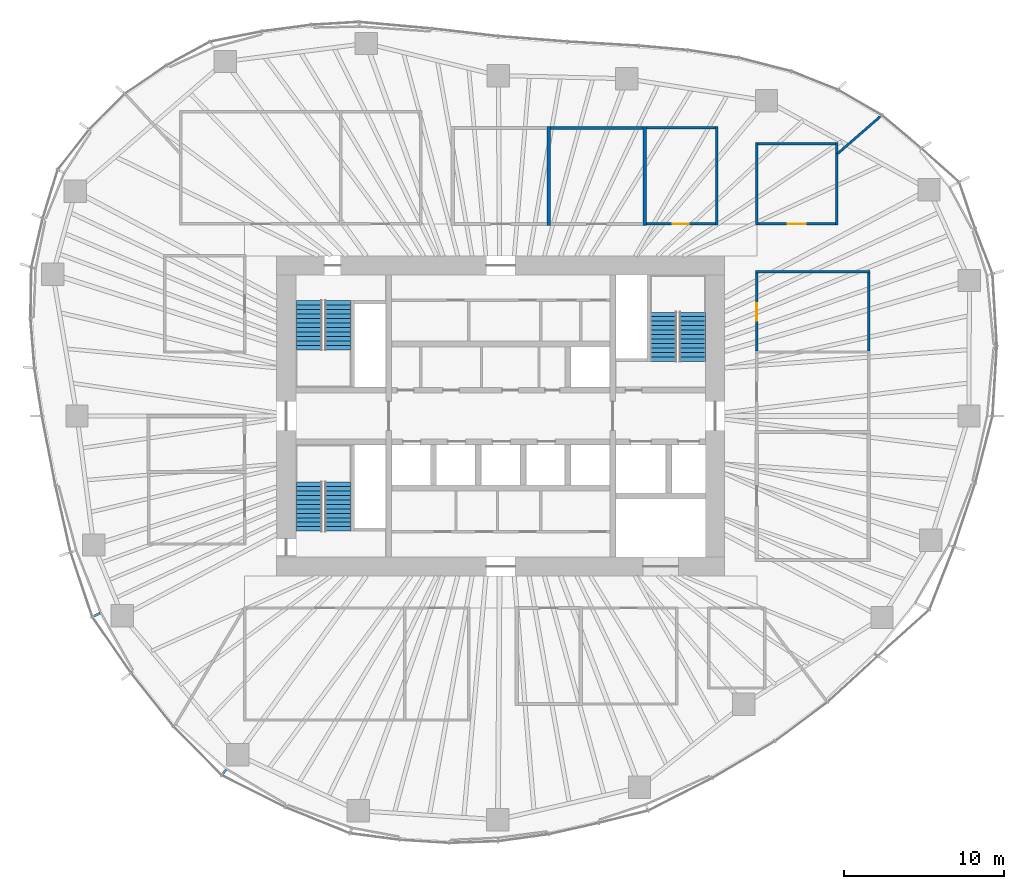
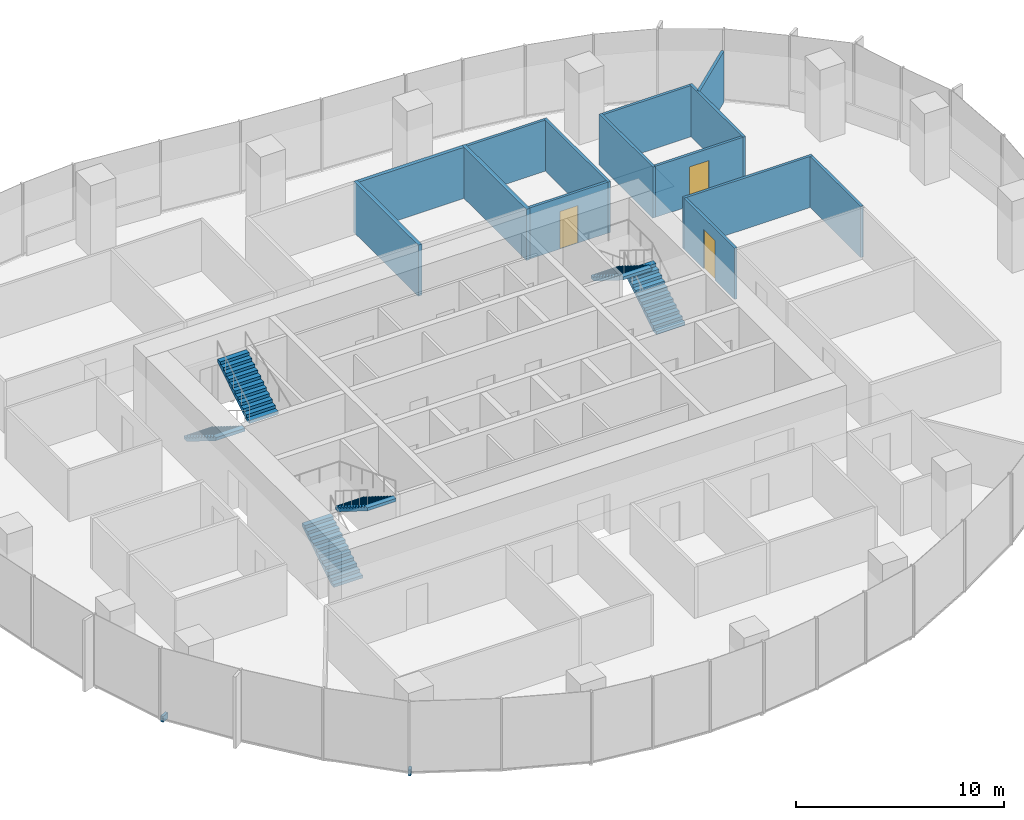
# One storey, part 11 of 18: 14 walls, 6 stair flights, 3 doors, 2 discrete accessories, 3 openings, 3 elements without a shape of their own.
"""IFC4 building model written with IfcOpenShell, lengths in metres."""

from ifc_helpers import new_model, si_unit, direction, frame, frame_2d, origin, origin_2d, place, context, subcontext, project, spatial, polyline, rectangle, outline, extrude, material, layer, layer_set, type_object, element, fill, aggregate, save


model = new_model("IFC4")

# Units and contexts
model_context = context("Model", 3, precision=1e-05, world=origin(), true_north=direction((0.0, 1.0)))
body_context = subcontext(model_context, "Body", "Model", "MODEL_VIEW")
ifc_project = project(units=[si_unit("LENGTHUNIT", "METRE"), si_unit("AREAUNIT", "SQUARE_METRE"), si_unit("VOLUMEUNIT", "CUBIC_METRE"), si_unit("PLANEANGLEUNIT", "RADIAN"), si_unit("MASSUNIT", "GRAM", prefix="KILO")], contexts=[model_context])

# Site, building, storey
site_placement = place(None, origin())
site = spatial("IfcSite", under=ifc_project, at=site_placement, CompositionType="ELEMENT")
building_placement = place(site_placement, origin())
building = spatial("IfcBuilding", under=site, at=building_placement, Name="Ghaith Harvest Tower", CompositionType="ELEMENT")
storey_placement = place(building_placement, frame((0.0, 0.0, 159.60009765625)))
storey = spatial("IfcBuildingStorey", under=building, at=storey_placement, Name="L34", CompositionType="ELEMENT", Elevation=159.60009765625)

# Walls
ifc_material_1 = material(Name="Twin-stud gypsum board, acoustic", Category="gypsum")
ifc_layer_1 = layer(ifc_material_1, 0.199951171875)
ifc_layer_set_1 = layer_set([ifc_layer_1], Name="ACOUSTIC PARTITION 200")
wall_type_1 = type_object("IfcWallType", Name="ACOUSTIC PARTITION 200", PredefinedType="PARTITIONING", material=ifc_layer_set_1)
for number, where, z_axis, x_axis, name in (
    (1, (3.0, 11.89990234375, 0.0), (0.0, 0.0, 1.0), (0.0, 1.0, 0.0), "Partition L34 row N4 cross wall 2"),
    (2, (9.0, 11.89990234375, 0.0), (0.0, 0.0, 1.0), (0.0, 1.0, 0.0), "Partition L34 row N4 cross wall 3"),
):
    element("IfcWall", number, at=place(storey_placement, frame(where, z_axis=z_axis, x_axis=x_axis)), inside=storey, type_object=wall_type_1, Name=name, PredefinedType="PARTITIONING", context=body_context, shape_type="SweptSolid", body=[
        extrude(rectangle(XDim=6.2001953125, YDim=0.199951171875, at=frame_2d((3.10009765625, 0.0))), origin(), (0.0, 0.0, 1.0), 3.0),
    ])
wall_1_placement = place(storey_placement, frame((3.10009765625, 18.0, 0.0), z_axis=(0.0, 0.0, 1.0), x_axis=(1.0, 0.0, 0.0)))
element("IfcWall", 3, at=wall_1_placement, inside=storey, type_object=wall_type_1, Name="Partition L34-08", PredefinedType="PARTITIONING", context=body_context, shape_type="SweptSolid", body=[
    extrude(rectangle(XDim=5.7998046875, YDim=0.199951171875, at=frame_2d((2.89990234375, 0.0))), origin(), (0.0, 0.0, 1.0), 3.0),
])
ifc_material_2 = material(Name="Gypsum board on steel studs", Category="steel")
ifc_layer_2 = layer(ifc_material_2, 0.14990234375)
ifc_layer_set_2 = layer_set([ifc_layer_2], Name="PARTITION 150")
wall_type_2 = type_object("IfcWallType", Name="PARTITION 150", PredefinedType="PARTITIONING", material=ifc_layer_set_2)
wall_2_placement = place(storey_placement, frame((13.5, 11.925048828125, 0.0), z_axis=(0.0, 0.0, 1.0), x_axis=(0.0, 1.0, 0.0)))
element("IfcWall", 4, at=wall_2_placement, inside=storey, type_object=wall_type_2, Name="Partition L34 row N4 cross wall 4", PredefinedType="PARTITIONING", context=body_context, shape_type="SweptSolid", body=[
    extrude(rectangle(XDim=6.14990234375, YDim=0.14990234375, at=frame_2d((3.074951171875, 0.0))), origin(), (0.0, 0.0, 1.0), 3.0),
])

# Wall, opening, door
wall_3_placement = place(storey_placement, frame((9.10009765625, 12.0, 0.0), z_axis=(0.0, 0.0, 1.0), x_axis=(1.0, 0.0, 0.0)))
wall_3 = element("IfcWall", 5, at=wall_3_placement, inside=storey, type_object=wall_type_2, Name="Partition L34-09", PredefinedType="PARTITIONING", context=body_context, shape_type="SweptSolid", body=[
    extrude(rectangle(XDim=4.324951171875, YDim=0.14990234375, at=frame_2d((2.16259765625, 0.0))), origin(), (0.0, 0.0, 1.0), 3.0),
])
opening_1_placement = place(wall_3_placement, frame((1.66259765625, 0.0, 0.0)))
opening_1 = element("IfcOpeningElement", 6, at=opening_1_placement, cuts=wall_3, Name="Opening 34-037", PredefinedType="OPENING", context=body_context, shape_type="SweptSolid", body=[
    extrude(rectangle(XDim=1.0, YDim=2.199951171875, at=frame_2d((0.5, 1.10009765625))), frame((0.0, 0.0849609375, 0.0), z_axis=(0.0, -1.0, 0.0), x_axis=(1.0, 0.0, 0.0)), (0.0, 0.0, 1.0), 0.169921875),
])
ifc_material_3 = material(Name="Timber door", Category="wood")
door_type_1 = type_object("IfcDoorType", Name="D1 SINGLE 1000x2200", OperationType="SINGLE_SWING_LEFT", PredefinedType="DOOR", material=ifc_material_3)
door_1_placement = place(opening_1_placement, origin())
door_1 = element("IfcDoor", 7, at=door_1_placement, inside=storey, type_object=door_type_1, Name="Pantry door", OperationType="SINGLE_SWING_LEFT", OverallHeight=2.199951171875, OverallWidth=1.0, PredefinedType="DOOR", context=body_context, shape_type="SweptSolid", body=[
    extrude(rectangle(XDim=1.0, YDim=2.199951171875, at=frame_2d((0.5, 1.10009765625))), frame((0.0, 0.02490234375, 0.0), z_axis=(0.0, -1.0, 0.0), x_axis=(1.0, 0.0, 0.0)), (0.0, 0.0, 1.0), 0.050048828125),
])
fill(opening_1, door_1)

# Walls
wall_4_placement = place(storey_placement, frame((9.10009765625, 18.0, 0.0), z_axis=(0.0, 0.0, 1.0), x_axis=(1.0, 0.0, 0.0)))
element("IfcWall", 8, at=wall_4_placement, inside=storey, type_object=wall_type_2, Name="Partition L34-09", PredefinedType="PARTITIONING", context=body_context, shape_type="SweptSolid", body=[
    extrude(rectangle(XDim=4.324951171875, YDim=0.14990234375, at=frame_2d((2.16259765625, 0.0))), origin(), (0.0, 0.0, 1.0), 3.0),
])
wall_5_placement = place(storey_placement, frame((15.925048828125, 9.0, 0.0), z_axis=(0.0, 0.0, 1.0), x_axis=(1.0, 0.0, 0.0)))
element("IfcWall", 9, at=wall_5_placement, inside=storey, type_object=wall_type_2, Name="Partition L34 row E5 cross wall 4", PredefinedType="PARTITIONING", context=body_context, shape_type="SweptSolid", body=[
    extrude(rectangle(XDim=7.14990234375, YDim=0.14990234375, at=frame_2d((3.574951171875, 0.0))), origin(), (0.0, 0.0, 1.0), 3.0),
])

# Wall, opening, door
wall_6_placement = place(storey_placement, frame((16.0, 4.074951171875, 0.0), z_axis=(0.0, 0.0, 1.0), x_axis=(0.0, 1.0, 0.0)))
wall_6 = element("IfcWall", 10, at=wall_6_placement, inside=storey, type_object=wall_type_2, Name="Partition L34-12", PredefinedType="PARTITIONING", context=body_context, shape_type="SweptSolid", body=[
    extrude(rectangle(XDim=4.85009765625, YDim=0.14990234375, at=frame_2d((2.425048828125, 0.0))), origin(), (0.0, 0.0, 1.0), 3.0),
])
opening_2_placement = place(wall_6_placement, frame((1.875, 0.0, 0.0)))
opening_2 = element("IfcOpeningElement", 11, at=opening_2_placement, cuts=wall_6, Name="Opening 34-040", PredefinedType="OPENING", context=body_context, shape_type="SweptSolid", body=[
    extrude(rectangle(XDim=1.10009765625, YDim=2.300048828125, at=frame_2d((0.550048828125, 1.14990234375))), frame((0.0, 0.0849609375, 0.0), z_axis=(0.0, -1.0, 0.0), x_axis=(1.0, 0.0, 0.0)), (0.0, 0.0, 1.0), 0.169921875),
])
ifc_material_4 = material(Name="Timber-framed glazed door", Category="wood")
door_type_2 = type_object("IfcDoorType", Name="D12 GLAZED OFFICE 1100x2300", OperationType="SINGLE_SWING_LEFT", PredefinedType="DOOR", material=ifc_material_4)
door_2_placement = place(opening_2_placement, origin())
door_2 = element("IfcDoor", 12, at=door_2_placement, inside=storey, type_object=door_type_2, Name="Office door", OperationType="SINGLE_SWING_LEFT", OverallHeight=2.300048828125, OverallWidth=1.10009765625, PredefinedType="DOOR", context=body_context, shape_type="SweptSolid", body=[
    extrude(rectangle(XDim=1.10009765625, YDim=2.300048828125, at=frame_2d((0.550048828125, 1.14990234375))), frame((0.0, 0.02490234375, 0.0), z_axis=(0.0, -1.0, 0.0), x_axis=(1.0, 0.0, 0.0)), (0.0, 0.0, 1.0), 0.050048828125),
])
fill(opening_2, door_2)

# Walls
wall_7_placement = place(storey_placement, frame((23.0, 4.074951171875, 0.0), z_axis=(0.0, 0.0, 1.0), x_axis=(0.0, 1.0, 0.0)))
element("IfcWall", 13, at=wall_7_placement, inside=storey, type_object=wall_type_2, Name="Partition L34-12", PredefinedType="PARTITIONING", context=body_context, shape_type="SweptSolid", body=[
    extrude(rectangle(XDim=4.85009765625, YDim=0.14990234375, at=frame_2d((2.425048828125, 0.0))), origin(), (0.0, 0.0, 1.0), 3.0),
])
for number, where, z_axis, x_axis, name in (
    (14, (16.0, 11.925048828125, 0.0), (0.0, 0.0, 1.0), (0.0, 1.0, 0.0), "Partition L34 row N7 cross wall 1"),
    (15, (21.0, 11.925048828125, 0.0), (0.0, 0.0, 1.0), (0.0, 1.0, 0.0), "Partition L34 row N7 cross wall 2"),
):
    element("IfcWall", number, at=place(storey_placement, frame(where, z_axis=z_axis, x_axis=x_axis)), inside=storey, type_object=wall_type_2, Name=name, PredefinedType="PARTITIONING", context=body_context, shape_type="SweptSolid", body=[
        extrude(rectangle(XDim=5.14990234375, YDim=0.14990234375, at=frame_2d((2.574951171875, 0.0))), origin(), (0.0, 0.0, 1.0), 3.0),
    ])

# Wall, opening, door
wall_8_placement = place(storey_placement, frame((16.074951171875, 12.0, 0.0), z_axis=(0.0, 0.0, 1.0), x_axis=(1.0, 0.0, 0.0)))
wall_8 = element("IfcWall", 16, at=wall_8_placement, inside=storey, type_object=wall_type_2, Name="Partition L34-15", PredefinedType="PARTITIONING", context=body_context, shape_type="SweptSolid", body=[
    extrude(rectangle(XDim=4.85009765625, YDim=0.14990234375, at=frame_2d((2.425048828125, 0.0))), origin(), (0.0, 0.0, 1.0), 3.0),
])
opening_3_placement = place(wall_8_placement, frame((1.875, 0.0, 0.0)))
opening_3 = element("IfcOpeningElement", 17, at=opening_3_placement, cuts=wall_8, Name="Opening 34-043", PredefinedType="OPENING", context=body_context, shape_type="SweptSolid", body=[
    extrude(rectangle(XDim=1.10009765625, YDim=2.300048828125, at=frame_2d((0.550048828125, 1.14990234375))), frame((0.0, 0.0849609375, 0.0), z_axis=(0.0, -1.0, 0.0), x_axis=(1.0, 0.0, 0.0)), (0.0, 0.0, 1.0), 0.169921875),
])
door_3_placement = place(opening_3_placement, origin())
door_3 = element("IfcDoor", 18, at=door_3_placement, inside=storey, type_object=door_type_2, Name="Office door", OperationType="SINGLE_SWING_LEFT", OverallHeight=2.300048828125, OverallWidth=1.10009765625, PredefinedType="DOOR", context=body_context, shape_type="SweptSolid", body=[
    extrude(rectangle(XDim=1.10009765625, YDim=2.300048828125, at=frame_2d((0.550048828125, 1.14990234375))), frame((0.0, 0.02490234375, 0.0), z_axis=(0.0, -1.0, 0.0), x_axis=(1.0, 0.0, 0.0)), (0.0, 0.0, 1.0), 0.050048828125),
])
fill(opening_3, door_3)

# Walls
wall_9_placement = place(storey_placement, frame((16.074951171875, 17.0, 0.0), z_axis=(0.0, 0.0, 1.0), x_axis=(1.0, 0.0, 0.0)))
element("IfcWall", 19, at=wall_9_placement, inside=storey, type_object=wall_type_2, Name="Partition L34-15", PredefinedType="PARTITIONING", context=body_context, shape_type="SweptSolid", body=[
    extrude(rectangle(XDim=4.85009765625, YDim=0.14990234375, at=frame_2d((2.425048828125, 0.0))), origin(), (0.0, 0.0, 1.0), 3.0),
])
wall_10_placement = place(storey_placement, frame((21.02001953125, 16.364013671875, 0.0), z_axis=(0.0, 0.0, 1.0), x_axis=(0.75467183248, 0.656102450278, 0.0)))
element("IfcWall", 20, at=wall_10_placement, inside=storey, type_object=wall_type_2, Name="Partition L34 zone division", PredefinedType="PARTITIONING", context=body_context, shape_type="SweptSolid", body=[
    extrude(rectangle(XDim=3.566650390625, YDim=0.14990234375, at=frame_2d((1.783203125, 0.0))), origin(), (0.0, 0.0, 1.0), 3.0),
])

# Stair, stair flights
ifc_material_5 = material(Name="Concrete C40/50, precast", Category="concrete")
stair_type = type_object("IfcStairType", Name="CORE STAIR 24R", PredefinedType="HALF_TURN_STAIR", material=ifc_material_5)
stair_1_placement = place(storey_placement, origin())
stair_1 = element("IfcStair", 21, at=stair_1_placement, inside=storey, type_object=stair_type, Name="Stair ST1 L34", PredefinedType="HALF_TURN_STAIR")
ifc_material_6 = material(Name="Concrete C40/50, precast", Category="concrete")
stair_flight_type = type_object("IfcStairFlightType", Name="CORE FLIGHT 12R 1600", PredefinedType="STRAIGHT", material=ifc_material_6)
stair_flight_1_placement = place(storey_placement, frame((-12.0, 7.199951171875, 0.0), z_axis=(0.0, 0.0, 1.0), x_axis=(0.0, -1.0, 0.0)))
stair_flight_1 = element("IfcStairFlight", 22, at=stair_flight_1_placement, type_object=stair_flight_type, Name="ST1 flight 1", NumberOfRisers=12, NumberOfTreads=11, PredefinedType="STRAIGHT", RiserHeight=0.175, TreadLength=0.28, context=body_context, shape_type="SweptSolid", body=[
    extrude(outline(polyline([(0.0, 0.0), (0.0, 0.175048828125), (0.280029296875, 0.175048828125), (0.280029296875, 0.35009765625), (0.56005859375, 0.35009765625), (0.56005859375, 0.52490234375), (0.840087890625, 0.52490234375), (0.840087890625, 0.699951171875), (1.1201171875, 0.699951171875), (1.1201171875, 0.875), (1.39990234375, 0.875), (1.39990234375, 1.050048828125), (1.679931640625, 1.050048828125), (1.679931640625, 1.22509765625), (1.9599609375, 1.22509765625), (1.9599609375, 1.39990234375), (2.239990234375, 1.39990234375), (2.239990234375, 1.574951171875), (2.52001953125, 1.574951171875), (2.52001953125, 1.75), (2.800048828125, 1.75), (2.800048828125, 1.925048828125), (3.080078125, 1.925048828125), (3.080078125, 2.10009765625), (3.080078125, 1.748291015625), (0.28271484375, 0.0), (0.0, 0.0)])), frame((0.0, 0.800048828125, 0.0), z_axis=(0.0, -1.0, 0.0), x_axis=(1.0, 0.0, 0.0)), (0.0, 0.0, 1.0), 1.60009765625),
])
stair_flight_2_placement = place(storey_placement, frame((-10.14990234375, 4.1201171875, 2.099853515625), z_axis=(0.0, 0.0, 1.0), x_axis=(0.0, 1.0, 0.0)))
stair_flight_2 = element("IfcStairFlight", 23, at=stair_flight_2_placement, type_object=stair_flight_type, Name="ST1 flight 2", NumberOfRisers=12, NumberOfTreads=11, PredefinedType="STRAIGHT", RiserHeight=0.175, TreadLength=0.28, context=body_context, shape_type="SweptSolid", body=[
    extrude(outline(polyline([(0.0, 0.0), (0.0, 0.175048828125), (0.280029296875, 0.175048828125), (0.280029296875, 0.35009765625), (0.56005859375, 0.35009765625), (0.56005859375, 0.52490234375), (0.840087890625, 0.52490234375), (0.840087890625, 0.699951171875), (1.1201171875, 0.699951171875), (1.1201171875, 0.875), (1.39990234375, 0.875), (1.39990234375, 1.050048828125), (1.679931640625, 1.050048828125), (1.679931640625, 1.22509765625), (1.9599609375, 1.22509765625), (1.9599609375, 1.39990234375), (2.239990234375, 1.39990234375), (2.239990234375, 1.574951171875), (2.52001953125, 1.574951171875), (2.52001953125, 1.75), (2.800048828125, 1.75), (2.800048828125, 1.925048828125), (3.080078125, 1.925048828125), (3.080078125, 2.10009765625), (3.080078125, 1.748291015625), (0.28271484375, 0.0), (0.0, 0.0)])), frame((0.0, 0.800048828125, 0.0), z_axis=(0.0, -1.0, 0.0), x_axis=(1.0, 0.0, 0.0)), (0.0, 0.0, 1.0), 1.60009765625),
])
aggregate(stair_1, [stair_flight_1, stair_flight_2])

stair_2_placement = place(storey_placement, origin())
stair_2 = element("IfcStair", 24, at=stair_2_placement, inside=storey, type_object=stair_type, Name="Stair ST3 L34", PredefinedType="HALF_TURN_STAIR")
stair_flight_3_placement = place(storey_placement, frame((-12.0, -7.199951171875, 0.0), z_axis=(0.0, 0.0, 1.0), x_axis=(0.0, 1.0, 0.0)))
stair_flight_3 = element("IfcStairFlight", 25, at=stair_flight_3_placement, type_object=stair_flight_type, Name="ST3 flight 1", NumberOfRisers=12, NumberOfTreads=11, PredefinedType="STRAIGHT", RiserHeight=0.175, TreadLength=0.28, context=body_context, shape_type="SweptSolid", body=[
    extrude(outline(polyline([(0.0, 0.0), (0.0, 0.175048828125), (0.280029296875, 0.175048828125), (0.280029296875, 0.35009765625), (0.56005859375, 0.35009765625), (0.56005859375, 0.52490234375), (0.840087890625, 0.52490234375), (0.840087890625, 0.699951171875), (1.1201171875, 0.699951171875), (1.1201171875, 0.875), (1.39990234375, 0.875), (1.39990234375, 1.050048828125), (1.679931640625, 1.050048828125), (1.679931640625, 1.22509765625), (1.9599609375, 1.22509765625), (1.9599609375, 1.39990234375), (2.239990234375, 1.39990234375), (2.239990234375, 1.574951171875), (2.52001953125, 1.574951171875), (2.52001953125, 1.75), (2.800048828125, 1.75), (2.800048828125, 1.925048828125), (3.080078125, 1.925048828125), (3.080078125, 2.10009765625), (3.080078125, 1.748291015625), (0.28271484375, 0.0), (0.0, 0.0)])), frame((0.0, 0.800048828125, 0.0), z_axis=(0.0, -1.0, 0.0), x_axis=(1.0, 0.0, 0.0)), (0.0, 0.0, 1.0), 1.60009765625),
])
stair_flight_4_placement = place(storey_placement, frame((-10.14990234375, -4.1201171875, 2.099853515625), z_axis=(0.0, 0.0, 1.0), x_axis=(0.0, -1.0, 0.0)))
stair_flight_4 = element("IfcStairFlight", 26, at=stair_flight_4_placement, type_object=stair_flight_type, Name="ST3 flight 2", NumberOfRisers=12, NumberOfTreads=11, PredefinedType="STRAIGHT", RiserHeight=0.175, TreadLength=0.28, context=body_context, shape_type="SweptSolid", body=[
    extrude(outline(polyline([(0.0, 0.0), (0.0, 0.175048828125), (0.280029296875, 0.175048828125), (0.280029296875, 0.35009765625), (0.56005859375, 0.35009765625), (0.56005859375, 0.52490234375), (0.840087890625, 0.52490234375), (0.840087890625, 0.699951171875), (1.1201171875, 0.699951171875), (1.1201171875, 0.875), (1.39990234375, 0.875), (1.39990234375, 1.050048828125), (1.679931640625, 1.050048828125), (1.679931640625, 1.22509765625), (1.9599609375, 1.22509765625), (1.9599609375, 1.39990234375), (2.239990234375, 1.39990234375), (2.239990234375, 1.574951171875), (2.52001953125, 1.574951171875), (2.52001953125, 1.75), (2.800048828125, 1.75), (2.800048828125, 1.925048828125), (3.080078125, 1.925048828125), (3.080078125, 2.10009765625), (3.080078125, 1.748291015625), (0.28271484375, 0.0), (0.0, 0.0)])), frame((0.0, 0.800048828125, 0.0), z_axis=(0.0, -1.0, 0.0), x_axis=(1.0, 0.0, 0.0)), (0.0, 0.0, 1.0), 1.60009765625),
])
aggregate(stair_2, [stair_flight_3, stair_flight_4])

stair_3_placement = place(storey_placement, origin())
stair_3 = element("IfcStair", 27, at=stair_3_placement, inside=storey, type_object=stair_type, Name="Stair ST2 L34", PredefinedType="HALF_TURN_STAIR")
stair_flight_5_placement = place(storey_placement, frame((12.0, 3.39990234375, 0.0), z_axis=(0.0, 0.0, 1.0), x_axis=(0.0, 1.0, 0.0)))
stair_flight_5 = element("IfcStairFlight", 28, at=stair_flight_5_placement, type_object=stair_flight_type, Name="ST2 flight 1", NumberOfRisers=12, NumberOfTreads=11, PredefinedType="STRAIGHT", RiserHeight=0.175, TreadLength=0.28, context=body_context, shape_type="SweptSolid", body=[
    extrude(outline(polyline([(0.0, 0.0), (0.0, 0.175048828125), (0.280029296875, 0.175048828125), (0.280029296875, 0.35009765625), (0.56005859375, 0.35009765625), (0.56005859375, 0.52490234375), (0.840087890625, 0.52490234375), (0.840087890625, 0.699951171875), (1.1201171875, 0.699951171875), (1.1201171875, 0.875), (1.39990234375, 0.875), (1.39990234375, 1.050048828125), (1.679931640625, 1.050048828125), (1.679931640625, 1.22509765625), (1.9599609375, 1.22509765625), (1.9599609375, 1.39990234375), (2.239990234375, 1.39990234375), (2.239990234375, 1.574951171875), (2.52001953125, 1.574951171875), (2.52001953125, 1.75), (2.800048828125, 1.75), (2.800048828125, 1.925048828125), (3.080078125, 1.925048828125), (3.080078125, 2.10009765625), (3.080078125, 1.748291015625), (0.28271484375, 0.0), (0.0, 0.0)])), frame((0.0, 0.800048828125, 0.0), z_axis=(0.0, -1.0, 0.0), x_axis=(1.0, 0.0, 0.0)), (0.0, 0.0, 1.0), 1.60009765625),
])
stair_flight_6_placement = place(storey_placement, frame((10.14990234375, 6.47998046875, 2.099853515625), z_axis=(0.0, 0.0, 1.0), x_axis=(0.0, -1.0, 0.0)))
stair_flight_6 = element("IfcStairFlight", 29, at=stair_flight_6_placement, type_object=stair_flight_type, Name="ST2 flight 2", NumberOfRisers=12, NumberOfTreads=11, PredefinedType="STRAIGHT", RiserHeight=0.175, TreadLength=0.28, context=body_context, shape_type="SweptSolid", body=[
    extrude(outline(polyline([(0.0, 0.0), (0.0, 0.175048828125), (0.280029296875, 0.175048828125), (0.280029296875, 0.35009765625), (0.56005859375, 0.35009765625), (0.56005859375, 0.52490234375), (0.840087890625, 0.52490234375), (0.840087890625, 0.699951171875), (1.1201171875, 0.699951171875), (1.1201171875, 0.875), (1.39990234375, 0.875), (1.39990234375, 1.050048828125), (1.679931640625, 1.050048828125), (1.679931640625, 1.22509765625), (1.9599609375, 1.22509765625), (1.9599609375, 1.39990234375), (2.239990234375, 1.39990234375), (2.239990234375, 1.574951171875), (2.52001953125, 1.574951171875), (2.52001953125, 1.75), (2.800048828125, 1.75), (2.800048828125, 1.925048828125), (3.080078125, 1.925048828125), (3.080078125, 2.10009765625), (3.080078125, 1.748291015625), (0.28271484375, 0.0), (0.0, 0.0)])), frame((0.0, 0.800048828125, 0.0), z_axis=(0.0, -1.0, 0.0), x_axis=(1.0, 0.0, 0.0)), (0.0, 0.0, 1.0), 1.60009765625),
])
aggregate(stair_3, [stair_flight_5, stair_flight_6])

# Discrete accessories
ifc_material_7 = material(Name="Stainless steel grade 1.4401", Category="steel")
discrete_accessory_type_1 = type_object("IfcDiscreteAccessoryType", Name="CURTAIN WALL BRACKET 315", PredefinedType="BRACKET", material=ifc_material_7)
discrete_accessory_1_placement = place(storey_placement, frame((-17.266357421875, -22.232421875, -0.250244140625), z_axis=(0.0, 0.0, 1.0), x_axis=(-0.613377713774, -0.789789706343, 0.0)))
element("IfcDiscreteAccessory", 30, at=discrete_accessory_1_placement, inside=storey, type_object=discrete_accessory_type_1, Name="CW-L bracket 1 bay 14 L34", PredefinedType="BRACKET", context=body_context, shape_type="SweptSolid", body=[
    extrude(rectangle(XDim=0.31494140625, YDim=0.14990234375, at=origin_2d()), origin(), (0.0, 0.0, 1.0), 0.35009765625),
])
ifc_material_8 = material(Name="Stainless steel grade 1.4401", Category="steel")
discrete_accessory_type_2 = type_object("IfcDiscreteAccessoryType", Name="CURTAIN WALL BRACKET 415", PredefinedType="BRACKET", material=ifc_material_8)
discrete_accessory_2_placement = place(storey_placement, frame((-25.228515625, -12.41796875, -0.250244140625), z_axis=(0.0, 0.0, 1.0), x_axis=(-0.897201221415, -0.441621974421, 0.0)))
element("IfcDiscreteAccessory", 31, at=discrete_accessory_2_placement, inside=storey, type_object=discrete_accessory_type_2, Name="CW-L bracket 2 bay 12 L34", PredefinedType="BRACKET", context=body_context, shape_type="SweptSolid", body=[
    extrude(rectangle(XDim=0.4150390625, YDim=0.14990234375, at=origin_2d()), origin(), (0.0, 0.0, 1.0), 0.35009765625),
])

save(model, "model.ifc")
